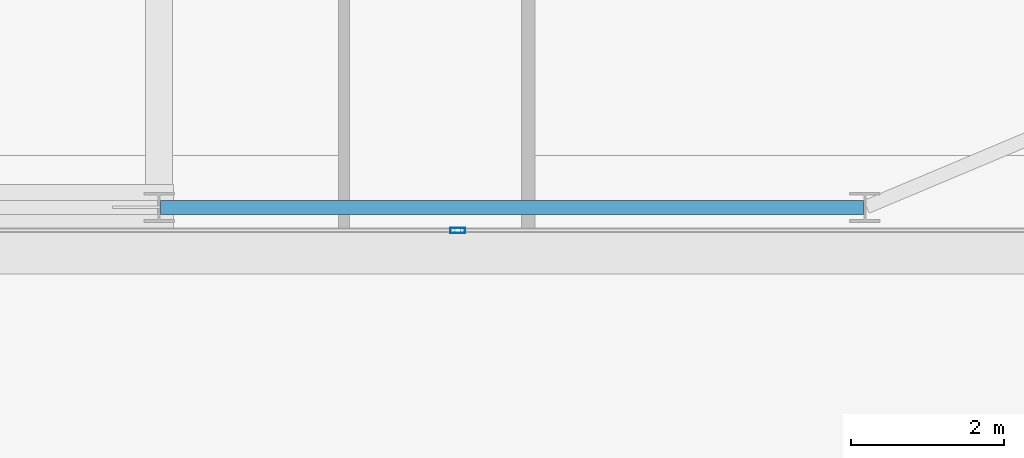
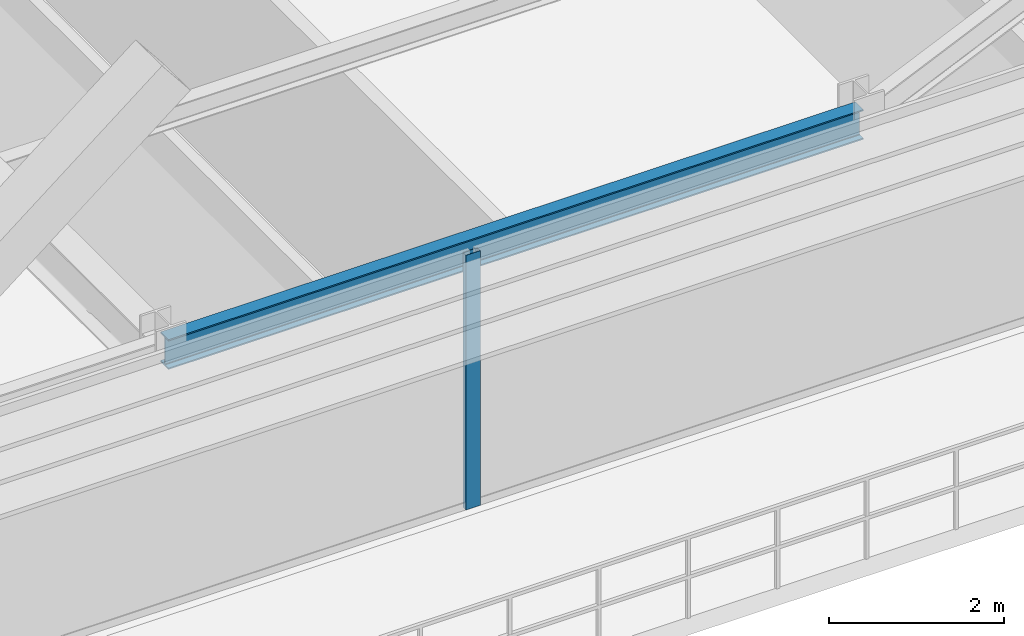
# One storey, part 12 of 35: 1 beam, 1 member, 1 element without a shape of its own.
"""IFC4 building model written with IfcOpenShell, lengths in metres."""

from ifc_helpers import new_model, si_unit, direction, frame, origin, origin_2d, place, context, subcontext, project, spatial, hollow_rectangle, i_section, extrude, source, transform, mapped, material, layer, layer_set, material_profile, profile_set, type_object, type_shapes, element, aggregate, save


model = new_model("IFC4")

# Units and contexts
model_context = context("Model", 3, precision=1e-05, world=origin(), true_north=direction((0.0, 1.0)))
body_context = subcontext(model_context, "Body", "Model", "MODEL_VIEW")
ifc_project = project(units=[si_unit("LENGTHUNIT", "METRE"), si_unit("AREAUNIT", "SQUARE_METRE"), si_unit("VOLUMEUNIT", "CUBIC_METRE"), si_unit("PLANEANGLEUNIT", "RADIAN"), si_unit("MASSUNIT", "GRAM", prefix="KILO")], contexts=[model_context])

# Site, building, storey
site_placement = place(None, origin())
site = spatial("IfcSite", under=ifc_project, at=site_placement, CompositionType="ELEMENT")
building_placement = place(site_placement, origin())
building = spatial("IfcBuilding", under=site, at=building_placement, Name="Varnel Quay Broadcast Tower", CompositionType="ELEMENT")
storey_placement = place(building_placement, frame((0.0, 0.0, 87.0)))
storey = spatial("IfcBuildingStorey", under=building, at=storey_placement, Name="L20", CompositionType="ELEMENT", Elevation=87.0)

# Beam
ifc_material_1 = material(Name="Structural Steel CSA G40.21 350W", Category="steel")
ifc_material_profile_1 = material_profile(ifc_material_1, i_section(OverallWidth=0.180908203125, OverallDepth=0.4169921875, WebThickness=0.010986328125, FlangeThickness=0.018310546875, FilletRadius=0.011962890625, at=origin_2d()), Name="W410X85")
ifc_profile_set_1 = profile_set([ifc_material_profile_1], Name="Structural Steel CSA G40.21 350W")
beam_type = type_object("IfcBeamType", Name="Beam_W410X85", PredefinedType="SPANDREL", material=ifc_profile_set_1)
shared_shape_1 = source(origin(), body_context, "Body", "SweptSolid", [
    extrude(i_section(OverallWidth=0.180908203125, OverallDepth=0.4169921875, WebThickness=0.010986328125, FlangeThickness=0.018310546875, FilletRadius=0.011962890625, at=origin_2d()), origin(), (0.0, 0.0, 1.0), 9.159912109375),
])
type_shapes(beam_type, [shared_shape_1])
beam_placement = place(storey_placement, frame((43.219970703125, 4.64990234375, 3.341552734375), z_axis=(1.0, 0.0, 0.0), x_axis=(0.0, 1.0, 0.0)))
element("IfcBeam", 1, at=beam_placement, inside=storey, type_object=beam_type, Name="L20 South Spandrel TC-S4-TC-S5", PredefinedType="SPANDREL", context=body_context, shape_type="MappedRepresentation", body=[
    mapped(shared_shape_1, transform((0.0, 0.0, 0.0), x_axis=(1.0, 0.0, 0.0), y_axis=(0.0, 1.0, 0.0), z_axis=(0.0, 0.0, 1.0), scale=1.0)),
])

# Curtain wall, member
ifc_material_2 = material(Name="Anodised Bronze Aluminium 6063-T6", Category="aluminium")
ifc_layer = layer(ifc_material_2, 0.18994140625, Name="Anodised Bronze Aluminium 6063-T6")
ifc_layer_set = layer_set([ifc_layer], Name="Anodised Bronze Aluminium 6063-T6")
curtain_wall_type = type_object("IfcCurtainWallType", Name="CW_LowerTower", PredefinedType="NOTDEFINED", material=ifc_layer_set)
curtain_wall_placement = place(storey_placement, origin())
curtain_wall = element("IfcCurtainWall", 2, at=curtain_wall_placement, inside=storey, type_object=curtain_wall_type, Name="L20 South Unitised Curtain Wall 2", PredefinedType="NOTDEFINED")
ifc_material_profile_2 = material_profile(ifc_material_2, hollow_rectangle(XDim=0.070068359375, YDim=0.18994140625, WallThickness=0.00390625, at=origin_2d()), Name="ALU70X190X4")
ifc_profile_set_2 = profile_set([ifc_material_profile_2], Name="Anodised Bronze Aluminium 6063-T6")
member_type = type_object("IfcMemberType", Name="Mull_CWS-02", PredefinedType="MULLION", material=ifc_profile_set_2)
shared_shape_2 = source(origin(), body_context, "Body", "SweptSolid", [
    extrude(hollow_rectangle(XDim=0.070068359375, YDim=0.18994140625, WallThickness=0.00390625, at=origin_2d()), origin(), (0.0, 0.0, 1.0), 3.550048828125),
])
type_shapes(member_type, [shared_shape_2])
member_placement = place(storey_placement, frame((47.09326171875, 4.35009765625, 0.0), z_axis=(0.0, 0.0, 1.0), x_axis=(0.0, 1.0, 0.0)))
member = element("IfcMember", 3, at=member_placement, type_object=member_type, Name="CWS-02 mullion 3", PredefinedType="MULLION", context=body_context, shape_type="MappedRepresentation", body=[
    mapped(shared_shape_2, transform((0.0, 0.0, 0.0), x_axis=(1.0, 0.0, 0.0), y_axis=(0.0, 1.0, 0.0), z_axis=(0.0, 0.0, 1.0), scale=1.0)),
])
aggregate(curtain_wall, [member])

save(model, "model.ifc")
